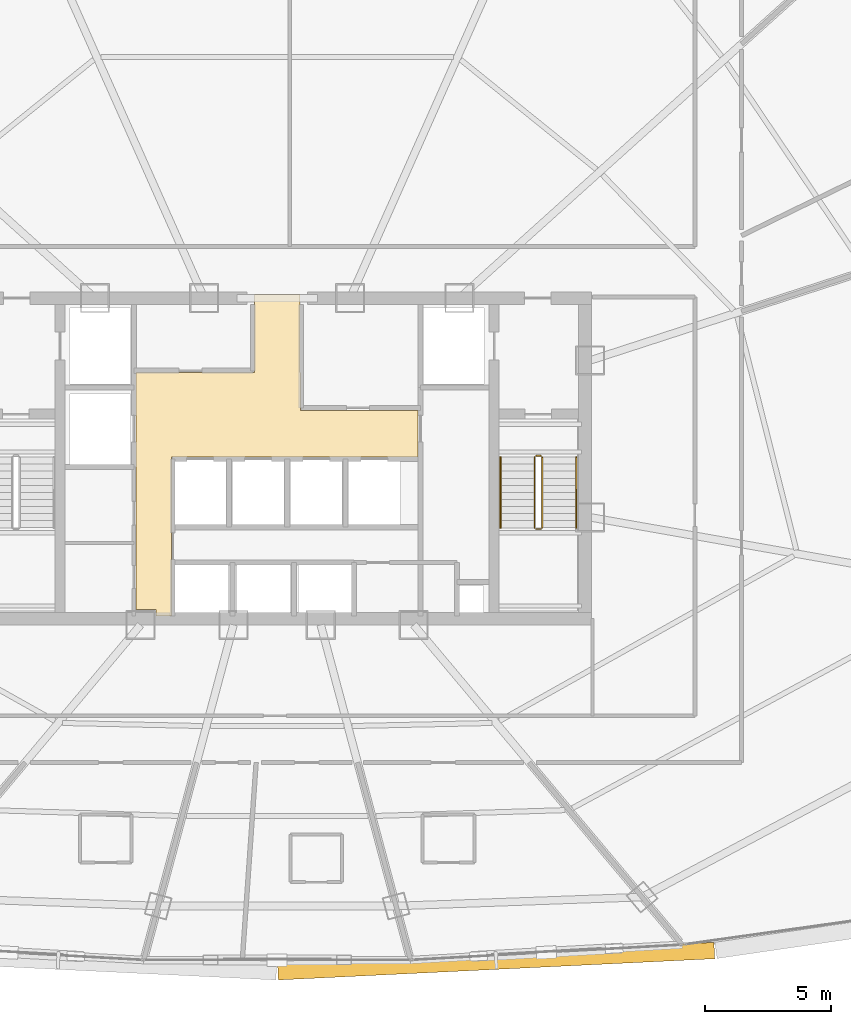
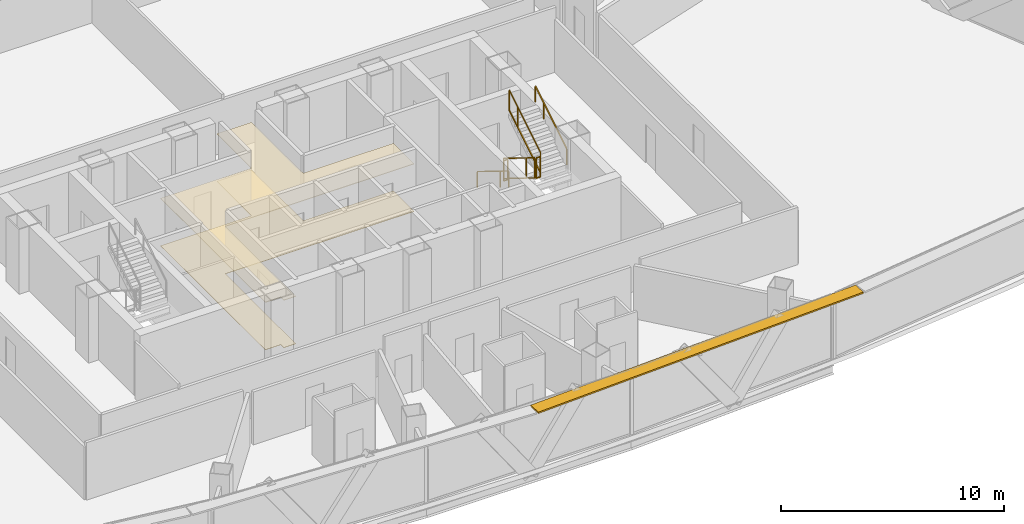
# One storey, part 38 of 40: 6 railings, 2 coverings, 1 shading device.
"""IFC4 building model written with IfcOpenShell, lengths in metres."""

from ifc_helpers import new_model, si_unit, direction, frame, origin, origin_2d, place, context, subcontext, project, spatial, polyline, rectangle, outline, extrude, source, transform, mapped, material, layer, layer_set, type_object, element, save


model = new_model("IFC4")

# Units and contexts
model_context = context("Model", 3, precision=1e-05, world=origin(), true_north=direction((0.0, 1.0)))
body_context = subcontext(model_context, "Body", "Model", "MODEL_VIEW")
ifc_project = project(units=[si_unit("LENGTHUNIT", "METRE"), si_unit("AREAUNIT", "SQUARE_METRE"), si_unit("VOLUMEUNIT", "CUBIC_METRE"), si_unit("PLANEANGLEUNIT", "RADIAN"), si_unit("MASSUNIT", "GRAM", prefix="KILO"), si_unit("THERMODYNAMICTEMPERATUREUNIT", "KELVIN"), si_unit("POWERUNIT", "WATT")], contexts=[model_context])

# Site, building, storey
site_placement = place(None, origin())
site = spatial("IfcSite", under=ifc_project, at=site_placement, CompositionType="ELEMENT")
building_placement = place(site_placement, origin())
building = spatial("IfcBuilding", under=site, at=building_placement, Name="Yunzhuo Pagoda Commons", CompositionType="ELEMENT")
storey_placement = place(building_placement, frame((0.0, 0.0, 184.760009765625)))
storey = spatial("IfcBuildingStorey", under=building, at=storey_placement, Name="L46", CompositionType="ELEMENT", Elevation=184.760009765625)

# Coverings
ifc_material_1 = material(Name="Perforated gypsum acoustic ceiling tile")
ifc_layer_1 = layer(ifc_material_1, 0.030029296875)
ifc_layer_set_1 = layer_set([ifc_layer_1], Name="Perforated gypsum acoustic ceiling tile")
covering_type_1 = type_object("IfcCoveringType", Name="COV-CL2 Ceiling 30", PredefinedType="CEILING", material=ifc_layer_set_1)
covering_1_placement = place(storey_placement, frame((0.0, 0.0, 2.590087890625)))
element("IfcCovering", 1, at=covering_1_placement, inside=storey, type_object=covering_type_1, Name="L46 lift lobby acoustic ceiling", PredefinedType="CEILING", context=body_context, shape_type="SweptSolid", body=[
    extrude(outline(polyline([(42.39990234375, 37.25), (47.10009765625, 37.25), (47.10009765625, 40.35009765625), (48.89990234375, 40.35009765625), (48.89990234375, 37.25), (48.919921875, 37.25), (48.919921875, 35.75), (53.580078125, 35.75), (53.580078125, 33.89990234375), (43.820068359375, 33.89990234375), (43.820068359375, 27.60009765625), (43.207763671875, 27.60009765625), (43.207763671875, 27.85009765625), (43.201904296875, 27.864013671875), (43.187744140625, 27.8701171875), (42.39990234375, 27.8701171875), (42.39990234375, 33.89990234375), (42.39990234375, 37.25)])), origin(), (0.0, 0.0, 1.0), 0.02978515625),
])
ifc_material_2 = material(Name="Porcelain ceramic floor tile")
ifc_layer_2 = layer(ifc_material_2, 0.02001953125)
ifc_layer_set_2 = layer_set([ifc_layer_2], Name="Porcelain ceramic floor tile")
covering_type_2 = type_object("IfcCoveringType", Name="COV-FL1 Flooring 20", PredefinedType="FLOORING", material=ifc_layer_set_2)
covering_2_placement = place(storey_placement, origin())
element("IfcCovering", 2, at=covering_2_placement, inside=storey, type_object=covering_type_2, Name="L46 lift lobby flooring", PredefinedType="FLOORING", context=body_context, shape_type="SweptSolid", body=[
    extrude(outline(polyline([(42.39990234375, 37.25), (47.10009765625, 37.25), (47.10009765625, 40.35009765625), (48.89990234375, 40.35009765625), (48.89990234375, 37.25), (48.919921875, 37.25), (48.919921875, 35.75), (53.580078125, 35.75), (53.580078125, 33.89990234375), (43.820068359375, 33.89990234375), (43.820068359375, 27.60009765625), (43.207763671875, 27.60009765625), (43.207763671875, 27.85009765625), (43.201904296875, 27.864013671875), (43.187744140625, 27.8701171875), (42.39990234375, 27.8701171875), (42.39990234375, 33.89990234375), (42.39990234375, 37.25)])), origin(), (0.0, 0.0, 1.0), 0.02001953125),
])

# Railings
ifc_material_3 = material(Name="Anodized aluminium 6063-T6", Category="aluminium")
railing_type_1 = type_object("IfcRailingType", Name="GR-ST2 Stair Well Guardrail 1160", PredefinedType="GUARDRAIL", material=ifc_material_3)
railing_1_placement = place(storey_placement, frame((58.199951171875, 33.89990234375, 0.172607421875)))
element("IfcRailing", 3, at=railing_1_placement, inside=storey, type_object=railing_type_1, Name="L46 ST2 stair guard 1", PredefinedType="GUARDRAIL", context=body_context, shape_type="SweptSolid", body=[
    extrude(rectangle(XDim=0.048095703125, YDim=0.048095703125, at=origin_2d()), frame((0.0, 0.0, 1.1259765625), z_axis=(0.0, -0.851069175582, 0.525053576669), x_axis=(1.0, 0.0, 0.0)), (0.0, 0.0, 1.0), 3.289794921875),
    extrude(rectangle(XDim=0.048095703125, YDim=0.048095703125, at=origin_2d()), frame((0.0, 0.0, 0.02392578125), z_axis=(0.0, -0.851069175582, 0.525053576669), x_axis=(1.0, 0.0, 0.0)), (0.0, 0.0, 1.0), 3.289794921875),
    extrude(rectangle(XDim=0.0419921875, YDim=0.0419921875, at=origin_2d()), origin(), (0.0, 0.0, 1.0), 1.101806640625),
    extrude(rectangle(XDim=0.0419921875, YDim=0.0419921875, at=origin_2d()), frame((0.0, -2.04248046875, 1.260009765625)), (0.0, 0.0, 1.0), 1.101806640625),
    extrude(rectangle(XDim=0.0419921875, YDim=0.0419921875, at=origin_2d()), frame((0.0, -2.7998046875, 1.727294921875)), (0.0, 0.0, 1.0), 1.101806640625),
])
railing_2_placement = place(storey_placement, frame((58.25, 31.050048828125, 1.89990234375)))
element("IfcRailing", 4, at=railing_2_placement, inside=storey, type_object=railing_type_1, Name="L46 ST2 stair guard 2", PredefinedType="GUARDRAIL", context=body_context, shape_type="SweptSolid", body=[
    extrude(rectangle(XDim=0.048095703125, YDim=0.048095703125, at=origin_2d()), frame((0.0, 0.0, 1.1259765625), z_axis=(1.0, 0.0, 0.0), x_axis=(0.0, 1.0, 0.0)), (0.0, 0.0, 1.0), 0.199951171875),
    extrude(rectangle(XDim=0.048095703125, YDim=0.048095703125, at=origin_2d()), frame((0.0, 0.0, 0.02392578125), z_axis=(1.0, 0.0, 0.0), x_axis=(0.0, 1.0, 0.0)), (0.0, 0.0, 1.0), 0.199951171875),
    extrude(rectangle(XDim=0.0419921875, YDim=0.0419921875, at=origin_2d()), origin(), (0.0, 0.0, 1.0), 1.101806640625),
    extrude(rectangle(XDim=0.0419921875, YDim=0.0419921875, at=origin_2d()), frame((0.199951171875, 0.0, 0.0)), (0.0, 0.0, 1.0), 1.101806640625),
])
railing_3_placement = place(storey_placement, frame((58.5, 31.10009765625, 2.07275390625)))
element("IfcRailing", 5, at=railing_3_placement, inside=storey, type_object=railing_type_1, Name="L46 ST2 stair guard 3", PredefinedType="GUARDRAIL", context=body_context, shape_type="SweptSolid", body=[
    extrude(rectangle(XDim=0.048095703125, YDim=0.048095703125, at=origin_2d()), frame((0.0, 0.0, 1.1259765625), z_axis=(0.0, 0.851069175582, 0.525053576669), x_axis=(-1.0, 0.0, 0.0)), (0.0, 0.0, 1.0), 3.289794921875),
    extrude(rectangle(XDim=0.048095703125, YDim=0.048095703125, at=origin_2d()), frame((0.0, 0.0, 0.02392578125), z_axis=(0.0, 0.851069175582, 0.525053576669), x_axis=(-1.0, 0.0, 0.0)), (0.0, 0.0, 1.0), 3.289794921875),
    extrude(rectangle(XDim=0.0419921875, YDim=0.0419921875, at=origin_2d()), origin(), (0.0, 0.0, 1.0), 1.101806640625),
    extrude(rectangle(XDim=0.0419921875, YDim=0.0419921875, at=origin_2d()), frame((0.0, 2.04248046875, 1.260009765625)), (0.0, 0.0, 1.0), 1.101806640625),
    extrude(rectangle(XDim=0.0419921875, YDim=0.0419921875, at=origin_2d()), frame((0.0, 2.7998046875, 1.727294921875)), (0.0, 0.0, 1.0), 1.101806640625),
])
railing_4_placement = place(storey_placement, frame((58.25, 33.949951171875, 0.0)))
element("IfcRailing", 6, at=railing_4_placement, inside=storey, type_object=railing_type_1, Name="L46 ST2 stair guard 4", PredefinedType="GUARDRAIL", context=body_context, shape_type="SweptSolid", body=[
    extrude(rectangle(XDim=0.048095703125, YDim=0.048095703125, at=origin_2d()), frame((0.0, 0.0, 1.1259765625), z_axis=(1.0, 0.0, 0.0), x_axis=(0.0, 1.0, 0.0)), (0.0, 0.0, 1.0), 0.199951171875),
    extrude(rectangle(XDim=0.048095703125, YDim=0.048095703125, at=origin_2d()), frame((0.0, 0.0, 0.02392578125), z_axis=(1.0, 0.0, 0.0), x_axis=(0.0, 1.0, 0.0)), (0.0, 0.0, 1.0), 0.199951171875),
    extrude(rectangle(XDim=0.0419921875, YDim=0.0419921875, at=origin_2d()), origin(), (0.0, 0.0, 1.0), 1.101806640625),
    extrude(rectangle(XDim=0.0419921875, YDim=0.0419921875, at=origin_2d()), frame((0.199951171875, 0.0, 0.0)), (0.0, 0.0, 1.0), 1.101806640625),
])
railing_type_2 = type_object("IfcRailingType", Name="HR-ST2 Stair Handrail 900", PredefinedType="HANDRAIL", material=ifc_material_3)
railing_5_placement = place(storey_placement, frame((56.85009765625, 33.89990234375, 0.172607421875)))
element("IfcRailing", 7, at=railing_5_placement, inside=storey, type_object=railing_type_2, Name="L46 ST2 stair handrail 1", PredefinedType="HANDRAIL", context=body_context, shape_type="SweptSolid", body=[
    extrude(rectangle(XDim=0.048095703125, YDim=0.048095703125, at=origin_2d()), frame((0.0, 0.0, 0.8759765625), z_axis=(0.0, -0.851069175582, 0.525053576669), x_axis=(1.0, 0.0, 0.0)), (0.0, 0.0, 1.0), 3.289794921875),
    extrude(rectangle(XDim=0.0419921875, YDim=0.0419921875, at=origin_2d()), origin(), (0.0, 0.0, 1.0), 0.851806640625),
    extrude(rectangle(XDim=0.0419921875, YDim=0.0419921875, at=origin_2d()), frame((0.0, -2.04248046875, 1.260009765625)), (0.0, 0.0, 1.0), 0.851806640625),
    extrude(rectangle(XDim=0.0419921875, YDim=0.0419921875, at=origin_2d()), frame((0.0, -2.7998046875, 1.727294921875)), (0.0, 0.0, 1.0), 0.851806640625),
])
railing_6_placement = place(storey_placement, frame((59.85009765625, 31.10009765625, 2.07275390625)))
element("IfcRailing", 8, at=railing_6_placement, inside=storey, type_object=railing_type_2, Name="L46 ST2 stair handrail 2", PredefinedType="HANDRAIL", context=body_context, shape_type="SweptSolid", body=[
    extrude(rectangle(XDim=0.048095703125, YDim=0.048095703125, at=origin_2d()), frame((0.0, 0.0, 0.8759765625), z_axis=(0.0, 0.851069175582, 0.525053576669), x_axis=(-1.0, 0.0, 0.0)), (0.0, 0.0, 1.0), 3.289794921875),
    extrude(rectangle(XDim=0.0419921875, YDim=0.0419921875, at=origin_2d()), origin(), (0.0, 0.0, 1.0), 0.851806640625),
    extrude(rectangle(XDim=0.0419921875, YDim=0.0419921875, at=origin_2d()), frame((0.0, 2.04248046875, 1.260009765625)), (0.0, 0.0, 1.0), 0.851806640625),
    extrude(rectangle(XDim=0.0419921875, YDim=0.0419921875, at=origin_2d()), frame((0.0, 2.7998046875, 1.727294921875)), (0.0, 0.0, 1.0), 0.851806640625),
])

# Shading device
ifc_layer_3 = layer(ifc_material_3, 0.080078125)
ifc_layer_set_3 = layer_set([ifc_layer_3], Name="Anodized aluminium 6063-T6")
shading_device_type = type_object("IfcShadingDeviceType", Name="SH-SUN1 Pagoda Horizontal Sunshade Eave 650", PredefinedType="USERDEFINED", material=ifc_layer_set_3)
shared_shape = source(origin(), body_context, "Body", "SweptSolid", [
    extrude(rectangle(XDim=17.3125, YDim=0.64990234375, at=origin_2d()), origin(), (0.0, 0.0, 1.0), 0.080078125),
])
shading_device_placement = place(storey_placement, frame((56.677734375, 13.926513671875, 3.4599609375), z_axis=(0.0, 0.0, 1.0), x_axis=(0.998818043775, 0.04860571396, 0.0)))
element("IfcShadingDevice", 9, at=shading_device_placement, inside=storey, type_object=shading_device_type, Name="L46 horizontal pagoda sunshade eave F1.3", ObjectType="SUNSHADE", PredefinedType="USERDEFINED", context=body_context, shape_type="MappedRepresentation", body=[
    mapped(shared_shape, transform((0.0, 0.0, 0.0), scale=1.0)),
])

save(model, "model.ifc")
